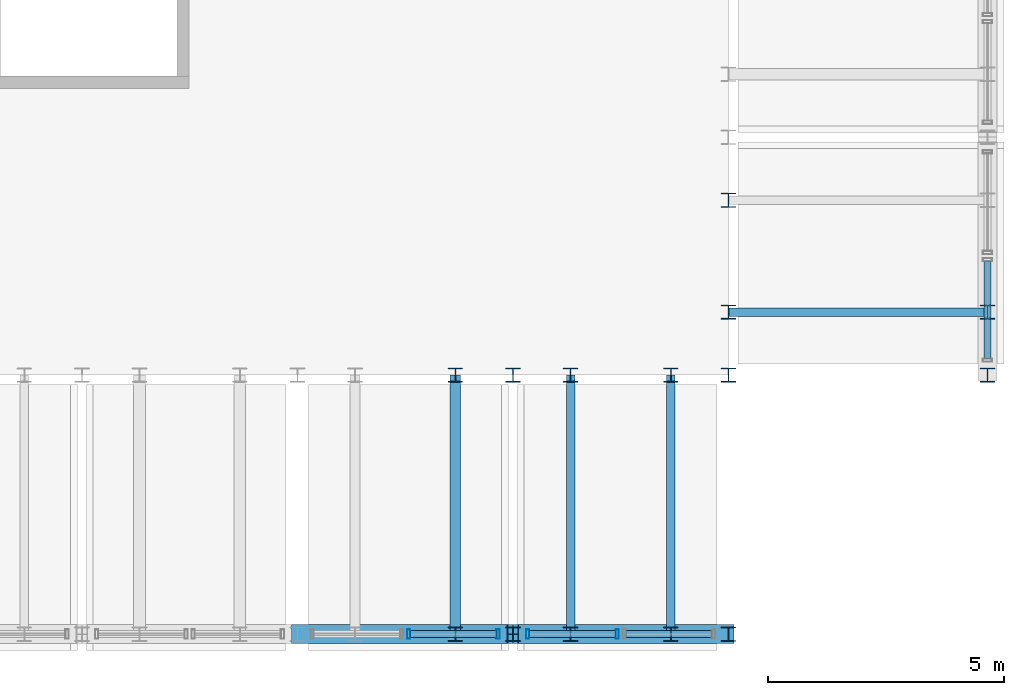
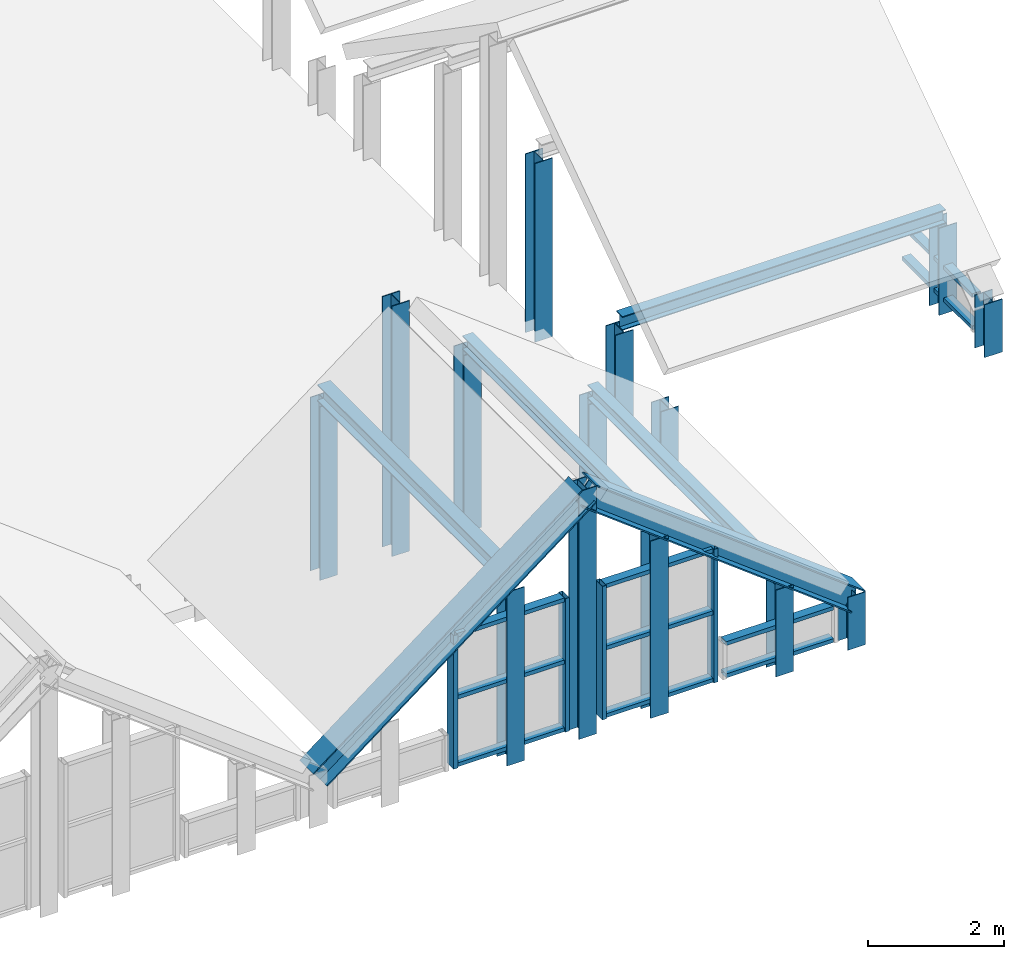
# One storey, part 4 of 21: 34 members, 4 elements without a shape of their own.
"""IFC4 building model written with IfcOpenShell, lengths in metres."""

from ifc_helpers import new_model, si_unit, direction, frame, origin, origin_2d, place, context, subcontext, project, spatial, hollow_rectangle, i_section, extrude, source, transform, mapped, material, layer, layer_set, material_profile, profile_set, type_object, element, aggregate, save


model = new_model("IFC4")

# Units and contexts
model_context = context("Model", 3, precision=1e-05, world=origin(), true_north=direction((0.0, 1.0)))
body_context = subcontext(model_context, "Body", "Model", "MODEL_VIEW")
ifc_project = project(units=[si_unit("LENGTHUNIT", "METRE"), si_unit("AREAUNIT", "SQUARE_METRE"), si_unit("VOLUMEUNIT", "CUBIC_METRE"), si_unit("PLANEANGLEUNIT", "RADIAN"), si_unit("MASSUNIT", "GRAM", prefix="KILO")], contexts=[model_context])

# Site, building, storey
site_placement = place(None, origin())
site = spatial("IfcSite", under=ifc_project, at=site_placement, CompositionType="ELEMENT")
building_placement = place(site_placement, origin())
building = spatial("IfcBuilding", under=site, at=building_placement, Name="Saelheon Loggia Tower", CompositionType="ELEMENT")
storey_placement = place(building_placement, frame((0.0, 0.0, 275.0)))
storey = spatial("IfcBuildingStorey", under=building, at=storey_placement, Name="ROOF", CompositionType="ELEMENT", Elevation=275.0)

# Members
ifc_material_1 = material(Name="Steel SM355", Category="steel")
ifc_material_profile_1 = material_profile(ifc_material_1, i_section(OverallWidth=0.300048828125, OverallDepth=0.300048828125, WebThickness=0.010009765625, FlangeThickness=0.014892578125, at=origin_2d()), Name="H-300x300x10x15")
ifc_profile_set_1 = profile_set([ifc_material_profile_1], Name="Steel SM355")
member_type_1 = type_object("IfcMemberType", Name="WaveCrest_Post_H300", PredefinedType="POST", material=ifc_profile_set_1)
shared_shape_1 = source(origin(), body_context, "Body", "SweptSolid", [
    extrude(i_section(OverallWidth=0.300048828125, OverallDepth=0.300048828125, WebThickness=0.010009765625, FlangeThickness=0.014892578125, at=origin_2d()), origin(), (0.0, 0.0, 1.0), 0.949951171875),
])
for number, where, z_axis, x_axis, name in (
    (1, (52.64990234375, 11.85009765625, -0.14990234375), (0.0, 0.0, 1.0), (1.0, 0.0, 0.0), "ROOF Wave Crest Outer Post E 00"),
    (2, (47.14990234375, 6.35009765625, -0.14990234375), (0.0, 0.0, 1.0), (1.0, 0.0, 0.0), "ROOF Wave Crest Outer Post S 04"),
):
    element("IfcMember", number, at=place(storey_placement, frame(where, z_axis=z_axis, x_axis=x_axis)), inside=storey, type_object=member_type_1, Name=name, PredefinedType="POST", context=body_context, shape_type="MappedRepresentation", body=[
        mapped(shared_shape_1, transform((0.0, 0.0, 0.0), scale=1.0)),
    ])
ifc_material_profile_2 = material_profile(ifc_material_1, i_section(OverallWidth=0.300048828125, OverallDepth=0.300048828125, WebThickness=0.010009765625, FlangeThickness=0.014892578125, at=origin_2d()), Name="H-300x300x10x15")
ifc_profile_set_2 = profile_set([ifc_material_profile_2], Name="Steel SM355")
member_type_2 = type_object("IfcMemberType", Name="Belt_Post_H300", PredefinedType="POST", material=ifc_profile_set_2)
shared_shape_2 = source(origin(), body_context, "Body", "SweptSolid", [
    extrude(i_section(OverallWidth=0.300048828125, OverallDepth=0.300048828125, WebThickness=0.010009765625, FlangeThickness=0.014892578125, at=origin_2d()), origin(), (0.0, 0.0, 1.0), 1.0),
])
member_1_placement = place(storey_placement, frame((47.14990234375, 11.85009765625, -0.199951171875), z_axis=(0.0, 0.0, 1.0), x_axis=(1.0, 0.0, 0.0)))
element("IfcMember", 3, at=member_1_placement, inside=storey, type_object=member_type_2, Name="ROOF Wave Crest Inner Post E 00", PredefinedType="POST", context=body_context, shape_type="MappedRepresentation", body=[
    mapped(shared_shape_2, transform((0.0, 0.0, 0.0), scale=1.0)),
])
shared_shape_3 = source(origin(), body_context, "Body", "SweptSolid", [
    extrude(i_section(OverallWidth=0.300048828125, OverallDepth=0.300048828125, WebThickness=0.010009765625, FlangeThickness=0.014892578125, at=origin_2d()), origin(), (0.0, 0.0, 1.0), 4.449951171875),
])
member_2_placement = place(storey_placement, frame((42.574951171875, 6.35009765625, -0.14990234375), z_axis=(0.0, 0.0, 1.0), x_axis=(1.0, 0.0, 0.0)))
element("IfcMember", 4, at=member_2_placement, inside=storey, type_object=member_type_1, Name="ROOF Wave Crest Outer Post S 03", PredefinedType="POST", context=body_context, shape_type="MappedRepresentation", body=[
    mapped(shared_shape_3, transform((0.0, 0.0, 0.0), scale=1.0)),
])
shared_shape_4 = source(origin(), body_context, "Body", "SweptSolid", [
    extrude(i_section(OverallWidth=0.300048828125, OverallDepth=0.300048828125, WebThickness=0.010009765625, FlangeThickness=0.014892578125, at=origin_2d()), origin(), (0.0, 0.0, 1.0), 4.5),
])
member_3_placement = place(storey_placement, frame((42.574951171875, 11.85009765625, -0.199951171875), z_axis=(0.0, 0.0, 1.0), x_axis=(1.0, 0.0, 0.0)))
element("IfcMember", 5, at=member_3_placement, inside=storey, type_object=member_type_2, Name="ROOF Wave Crest Inner Post S 03", PredefinedType="POST", context=body_context, shape_type="MappedRepresentation", body=[
    mapped(shared_shape_4, transform((0.0, 0.0, 0.0), scale=1.0)),
])
ifc_material_profile_3 = material_profile(ifc_material_1, i_section(OverallWidth=0.179931640625, OverallDepth=0.25, WebThickness=0.010009765625, FlangeThickness=0.01611328125, at=origin_2d()), Name="H-250x180x10x16")
ifc_profile_set_3 = profile_set([ifc_material_profile_3], Name="Steel SM355")
member_type_3 = type_object("IfcMemberType", Name="Roof_Purlin_RHS250", PredefinedType="PURLIN", material=ifc_profile_set_3)
shared_shape_5 = source(origin(), body_context, "Body", "SweptSolid", [
    extrude(i_section(OverallWidth=0.179931640625, OverallDepth=0.25, WebThickness=0.010009765625, FlangeThickness=0.01611328125, at=origin_2d()), origin(), (0.0, 0.0, 1.0), 5.5),
])
for number, where, z_axis, x_axis, name in (
    (6, (52.64990234375, 13.186767578125, 1.489013671875), (-1.0, 0.0, 0.0), (0.0, -1.0, 0.0), "Crown Wave Roof Purlin 07 A"),
    (7, (43.7978515625, 6.35009765625, 3.110595703125), (0.0, 1.0, 0.0), (-1.0, 0.0, 0.0), "Crown Wave Roof Purlin 16 A"),
    (8, (45.92724609375, 6.35009765625, 1.4814453125), (0.0, 1.0, 0.0), (-1.0, 0.0, 0.0), "Crown Wave Roof Purlin 16 B"),
):
    element("IfcMember", number, at=place(storey_placement, frame(where, z_axis=z_axis, x_axis=x_axis)), inside=storey, type_object=member_type_3, Name=name, PredefinedType="PURLIN", context=body_context, shape_type="MappedRepresentation", body=[
        mapped(shared_shape_5, transform((0.0, 0.0, 0.0), scale=1.0)),
    ])
shared_shape_6 = source(origin(), body_context, "Body", "SweptSolid", [
    extrude(i_section(OverallWidth=0.300048828125, OverallDepth=0.300048828125, WebThickness=0.010009765625, FlangeThickness=0.014892578125, at=origin_2d()), origin(), (0.0, 0.0, 1.0), 1.56396484375),
])
for number, where, z_axis, x_axis, name in (
    (9, (52.64990234375, 13.186767578125, -0.199951171875), (0.0, 0.0, 1.0), (1.0, 0.0, 0.0), "Crown Wave Roof Purlin Support Post 07 A O"),
    (10, (47.14990234375, 13.186767578125, -0.199951171875), (0.0, 0.0, 1.0), (1.0, 0.0, 0.0), "Crown Wave Roof Purlin Support Post 07 A I"),
):
    element("IfcMember", number, at=place(storey_placement, frame(where, z_axis=z_axis, x_axis=x_axis)), inside=storey, type_object=member_type_2, Name=name, PredefinedType="POST", context=body_context, shape_type="MappedRepresentation", body=[
        mapped(shared_shape_6, transform((0.0, 0.0, 0.0), scale=1.0)),
    ])
shared_shape_7 = source(origin(), body_context, "Body", "SweptSolid", [
    extrude(i_section(OverallWidth=0.300048828125, OverallDepth=0.300048828125, WebThickness=0.010009765625, FlangeThickness=0.014892578125, at=origin_2d()), origin(), (0.0, 0.0, 1.0), 3.2109375),
])
member_4_placement = place(storey_placement, frame((47.14990234375, 15.563232421875, -0.199951171875), z_axis=(0.0, 0.0, 1.0), x_axis=(1.0, 0.0, 0.0)))
element("IfcMember", 11, at=member_4_placement, inside=storey, type_object=member_type_2, Name="Crown Wave Roof Purlin Support Post 07 B I", PredefinedType="POST", context=body_context, shape_type="MappedRepresentation", body=[
    mapped(shared_shape_7, transform((0.0, 0.0, 0.0), scale=1.0)),
])
ifc_material_profile_4 = material_profile(ifc_material_1, i_section(OverallWidth=0.219970703125, OverallDepth=0.300048828125, WebThickness=0.011962890625, FlangeThickness=0.02001953125, at=origin_2d()), Name="H-300x220x12x20")
ifc_profile_set_4 = profile_set([ifc_material_profile_4], Name="Steel SM355")
member_type_4 = type_object("IfcMemberType", Name="Roof_Purlin_RHS300", PredefinedType="PURLIN", material=ifc_profile_set_4)
shared_shape_8 = source(origin(), body_context, "Body", "SweptSolid", [
    extrude(i_section(OverallWidth=0.219970703125, OverallDepth=0.300048828125, WebThickness=0.011962890625, FlangeThickness=0.02001953125, at=origin_2d()), origin(), (0.0, 0.0, 1.0), 5.5),
])
member_5_placement = place(storey_placement, frame((41.352294921875, 6.35009765625, 3.0703125), z_axis=(0.0, 1.0, 0.0), x_axis=(-1.0, 0.0, 0.0)))
element("IfcMember", 12, at=member_5_placement, inside=storey, type_object=member_type_4, Name="Crown Wave Roof Purlin 15 B", PredefinedType="PURLIN", context=body_context, shape_type="MappedRepresentation", body=[
    mapped(shared_shape_8, transform((0.0, 0.0, 0.0), scale=1.0)),
])
shared_shape_9 = source(origin(), body_context, "Body", "SweptSolid", [
    extrude(i_section(OverallWidth=0.300048828125, OverallDepth=0.300048828125, WebThickness=0.010009765625, FlangeThickness=0.014892578125, at=origin_2d()), origin(), (0.0, 0.0, 1.0), 1.556396484375),
])
for number, where, z_axis, x_axis, name in (
    (13, (45.92724609375, 6.35009765625, -0.199951171875), (0.0, 0.0, 1.0), (1.0, 0.0, 0.0), "Crown Wave Roof Purlin Support Post 16 B O"),
    (14, (45.92724609375, 11.85009765625, -0.199951171875), (0.0, 0.0, 1.0), (1.0, 0.0, 0.0), "Crown Wave Roof Purlin Support Post 16 B I"),
):
    element("IfcMember", number, at=place(storey_placement, frame(where, z_axis=z_axis, x_axis=x_axis)), inside=storey, type_object=member_type_2, Name=name, PredefinedType="POST", context=body_context, shape_type="MappedRepresentation", body=[
        mapped(shared_shape_9, transform((0.0, 0.0, 0.0), scale=1.0)),
    ])
shared_shape_10 = source(origin(), body_context, "Body", "SweptSolid", [
    extrude(i_section(OverallWidth=0.300048828125, OverallDepth=0.300048828125, WebThickness=0.010009765625, FlangeThickness=0.014892578125, at=origin_2d()), origin(), (0.0, 0.0, 1.0), 3.185546875),
])
for number, where, z_axis, x_axis, name in (
    (15, (43.7978515625, 6.35009765625, -0.199951171875), (0.0, 0.0, 1.0), (1.0, 0.0, 0.0), "Crown Wave Roof Purlin Support Post 16 A O"),
    (16, (43.7978515625, 11.85009765625, -0.199951171875), (0.0, 0.0, 1.0), (1.0, 0.0, 0.0), "Crown Wave Roof Purlin Support Post 16 A I"),
):
    element("IfcMember", number, at=place(storey_placement, frame(where, z_axis=z_axis, x_axis=x_axis)), inside=storey, type_object=member_type_2, Name=name, PredefinedType="POST", context=body_context, shape_type="MappedRepresentation", body=[
        mapped(shared_shape_10, transform((0.0, 0.0, 0.0), scale=1.0)),
    ])
shared_shape_11 = source(origin(), body_context, "Body", "SweptSolid", [
    extrude(i_section(OverallWidth=0.300048828125, OverallDepth=0.300048828125, WebThickness=0.010009765625, FlangeThickness=0.014892578125, at=origin_2d()), origin(), (0.0, 0.0, 1.0), 3.1201171875),
])
for number, where, z_axis, x_axis, name in (
    (17, (41.352294921875, 6.35009765625, -0.199951171875), (0.0, 0.0, 1.0), (1.0, 0.0, 0.0), "Crown Wave Roof Purlin Support Post 15 B O"),
    (18, (41.352294921875, 11.85009765625, -0.199951171875), (0.0, 0.0, 1.0), (1.0, 0.0, 0.0), "Crown Wave Roof Purlin Support Post 15 B I"),
):
    element("IfcMember", number, at=place(storey_placement, frame(where, z_axis=z_axis, x_axis=x_axis)), inside=storey, type_object=member_type_2, Name=name, PredefinedType="POST", context=body_context, shape_type="MappedRepresentation", body=[
        mapped(shared_shape_11, transform((0.0, 0.0, 0.0), scale=1.0)),
    ])
ifc_material_profile_5 = material_profile(ifc_material_1, i_section(OverallWidth=0.39990234375, OverallDepth=0.39990234375, WebThickness=0.012939453125, FlangeThickness=0.02099609375, at=origin_2d()), Name="H-400x400x13x21")
ifc_profile_set_5 = profile_set([ifc_material_profile_5], Name="Steel SM355")
member_type_5 = type_object("IfcMemberType", Name="CrownFrame_Brace_H400", PredefinedType="BRACE", material=ifc_profile_set_5)
shared_shape_12 = source(origin(), body_context, "Body", "SweptSolid", [
    extrude(i_section(OverallWidth=0.39990234375, OverallDepth=0.39990234375, WebThickness=0.012939453125, FlangeThickness=0.02099609375, at=origin_2d()), origin(), (0.0, 0.0, 1.0), 5.76025390625),
])
for number, where, z_axis, x_axis, name in (
    (19, (38.0, 6.35009765625, 0.699951171875), (0.794231497038, 0.0, 0.607615280513), (0.0, 1.0, 0.0), "ROOF CROWN FRAME Wave Crest Cap S 03"),
    (20, (42.574951171875, 6.35009765625, 4.199951171875), (0.794231497038, 0.0, -0.607615280513), (0.0, 1.0, 0.0), "ROOF CROWN FRAME Wave Crest Cap S 04"),
):
    element("IfcMember", number, at=place(storey_placement, frame(where, z_axis=z_axis, x_axis=x_axis)), inside=storey, type_object=member_type_5, Name=name, PredefinedType="BRACE", context=body_context, shape_type="MappedRepresentation", body=[
        mapped(shared_shape_12, transform((0.0, 0.0, 0.0), scale=1.0)),
    ])

# Curtain wall, members
ifc_material_2 = material(Name="Bronze-Anodised Aluminium and Fritted Ceramic Screen", Category="aluminium")
ifc_layer = layer(ifc_material_2, 0.219970703125)
ifc_layer_set = layer_set([ifc_layer], Name="Bronze-Anodised Aluminium and Fritted Ceramic Screen")
curtain_wall_type = type_object("IfcCurtainWallType", Name="CW_CrownScreen", PredefinedType="NOTDEFINED", material=ifc_layer_set)
curtain_wall_1_placement = place(storey_placement, origin())
curtain_wall_1 = element("IfcCurtainWall", 21, at=curtain_wall_1_placement, inside=storey, type_object=curtain_wall_type, Name="ROOF Wave Crest Curtain Wall E 01-1", PredefinedType="NOTDEFINED")
ifc_material_3 = material(Name="Bronze-Anodised Aluminium 6063-T6", Category="aluminium")
ifc_material_profile_6 = material_profile(ifc_material_3, hollow_rectangle(XDim=0.070068359375, YDim=0.14990234375, WallThickness=0.0048828125, at=origin_2d()), Name="RHS-150x70x5")
ifc_profile_set_6 = profile_set([ifc_material_profile_6], Name="Bronze-Anodised Aluminium 6063-T6")
member_type_6 = type_object("IfcMemberType", Name="CW_CrownScreen_Transom", PredefinedType="USERDEFINED", material=ifc_profile_set_6)
shared_shape_13 = source(origin(), body_context, "Body", "SweptSolid", [
    extrude(hollow_rectangle(XDim=0.070068359375, YDim=0.14990234375, WallThickness=0.0048828125, at=origin_2d()), origin(), (0.0, 0.0, 1.0), 2.06494140625),
])
member_6_placement = place(storey_placement, frame((52.64990234375, 12.199951171875, 0.054931640625), z_axis=(0.0, 1.0, 0.0), x_axis=(0.0, 0.0, 1.0)))
member_6 = element("IfcMember", 22, at=member_6_placement, type_object=member_type_6, Name="CW6 transom 1.1", ObjectType="TRANSOM", PredefinedType="USERDEFINED", context=body_context, shape_type="MappedRepresentation", body=[
    mapped(shared_shape_13, transform((0.0, 0.0, 0.0), scale=1.0)),
])
member_7_placement = place(storey_placement, frame((52.64990234375, 12.199951171875, 0.635009765625), z_axis=(0.0, 1.0, 0.0), x_axis=(0.0, 0.0, 1.0)))
member_7 = element("IfcMember", 23, at=member_7_placement, type_object=member_type_6, Name="CW6 transom 1.2", ObjectType="TRANSOM", PredefinedType="USERDEFINED", context=body_context, shape_type="MappedRepresentation", body=[
    mapped(shared_shape_13, transform((0.0, 0.0, 0.0), scale=1.0)),
])
aggregate(curtain_wall_1, [member_6, member_7])

curtain_wall_2_placement = place(storey_placement, origin())
curtain_wall_2 = element("IfcCurtainWall", 24, at=curtain_wall_2_placement, inside=storey, type_object=curtain_wall_type, Name="ROOF Wave Crest Curtain Wall S 03-2", PredefinedType="NOTDEFINED")
ifc_material_profile_7 = material_profile(ifc_material_3, hollow_rectangle(XDim=0.070068359375, YDim=0.199951171875, WallThickness=0.0048828125, at=origin_2d()), Name="RHS-200x70x5")
ifc_profile_set_7 = profile_set([ifc_material_profile_7], Name="Bronze-Anodised Aluminium 6063-T6")
member_type_7 = type_object("IfcMemberType", Name="CW_CrownScreen_Mullion", PredefinedType="MULLION", material=ifc_profile_set_7)
shared_shape_14 = source(origin(), body_context, "Body", "SweptSolid", [
    extrude(hollow_rectangle(XDim=0.070068359375, YDim=0.199951171875, WallThickness=0.0048828125, at=origin_2d()), origin(), (0.0, 0.0, 1.0), 2.39990234375),
])
member_8_placement = place(storey_placement, frame((40.362548828125, 6.35009765625, 0.02001953125), z_axis=(0.0, 0.0, 1.0), x_axis=(1.0, 0.0, 0.0)))
member_8 = element("IfcMember", 25, at=member_8_placement, type_object=member_type_7, Name="CW6 mullion 1", PredefinedType="MULLION", context=body_context, shape_type="MappedRepresentation", body=[
    mapped(shared_shape_14, transform((0.0, 0.0, 0.0), scale=1.0)),
])
member_9_placement = place(storey_placement, frame((42.260009765625, 6.35009765625, 0.02001953125), z_axis=(0.0, 0.0, 1.0), x_axis=(1.0, 0.0, 0.0)))
member_9 = element("IfcMember", 26, at=member_9_placement, type_object=member_type_7, Name="CW6 mullion 2", PredefinedType="MULLION", context=body_context, shape_type="MappedRepresentation", body=[
    mapped(shared_shape_14, transform((0.0, 0.0, 0.0), scale=1.0)),
])

curtain_wall_3_placement = place(storey_placement, origin())
curtain_wall_3 = element("IfcCurtainWall", 27, at=curtain_wall_3_placement, inside=storey, type_object=curtain_wall_type, Name="ROOF Wave Crest Curtain Wall S 04-1", PredefinedType="NOTDEFINED")
member_10_placement = place(storey_placement, frame((42.889892578125, 6.35009765625, 0.02001953125), z_axis=(0.0, 0.0, 1.0), x_axis=(1.0, 0.0, 0.0)))
member_10 = element("IfcMember", 28, at=member_10_placement, type_object=member_type_7, Name="CW6 mullion 1", PredefinedType="MULLION", context=body_context, shape_type="MappedRepresentation", body=[
    mapped(shared_shape_14, transform((0.0, 0.0, 0.0), scale=1.0)),
])
member_11_placement = place(storey_placement, frame((44.78759765625, 6.35009765625, 0.02001953125), z_axis=(0.0, 0.0, 1.0), x_axis=(1.0, 0.0, 0.0)))
member_11 = element("IfcMember", 29, at=member_11_placement, type_object=member_type_7, Name="CW6 mullion 2", PredefinedType="MULLION", context=body_context, shape_type="MappedRepresentation", body=[
    mapped(shared_shape_14, transform((0.0, 0.0, 0.0), scale=1.0)),
])

# Member
shared_shape_15 = source(origin(), body_context, "Body", "SweptSolid", [
    extrude(hollow_rectangle(XDim=0.070068359375, YDim=0.14990234375, WallThickness=0.0048828125, at=origin_2d()), origin(), (0.0, 0.0, 1.0), 1.82763671875),
])
member_12_placement = place(storey_placement, frame((40.3974609375, 6.35009765625, 0.054931640625), z_axis=(1.0, 0.0, 0.0), x_axis=(0.0, 0.0, 1.0)))
member_12 = element("IfcMember", 30, at=member_12_placement, type_object=member_type_6, Name="CW6 transom 1.1", ObjectType="TRANSOM", PredefinedType="USERDEFINED", context=body_context, shape_type="MappedRepresentation", body=[
    mapped(shared_shape_15, transform((0.0, 0.0, 0.0), scale=1.0)),
])

member_13_placement = place(storey_placement, frame((40.3974609375, 6.35009765625, 1.27001953125), z_axis=(1.0, 0.0, 0.0), x_axis=(0.0, 0.0, 1.0)))
member_13 = element("IfcMember", 31, at=member_13_placement, type_object=member_type_6, Name="CW6 transom 1.2", ObjectType="TRANSOM", PredefinedType="USERDEFINED", context=body_context, shape_type="MappedRepresentation", body=[
    mapped(shared_shape_15, transform((0.0, 0.0, 0.0), scale=1.0)),
])

member_14_placement = place(storey_placement, frame((40.3974609375, 6.35009765625, 2.385009765625), z_axis=(1.0, 0.0, 0.0), x_axis=(0.0, 0.0, 1.0)))
member_14 = element("IfcMember", 32, at=member_14_placement, type_object=member_type_6, Name="CW6 transom 1.3", ObjectType="TRANSOM", PredefinedType="USERDEFINED", context=body_context, shape_type="MappedRepresentation", body=[
    mapped(shared_shape_15, transform((0.0, 0.0, 0.0), scale=1.0)),
])

aggregate(curtain_wall_2, [member_8, member_9, member_12, member_13, member_14])

# Curtain wall, members
curtain_wall_4_placement = place(storey_placement, origin())
curtain_wall_4 = element("IfcCurtainWall", 33, at=curtain_wall_4_placement, inside=storey, type_object=curtain_wall_type, Name="ROOF Wave Crest Curtain Wall S 04-2", PredefinedType="NOTDEFINED")
member_15_placement = place(storey_placement, frame((44.972412109375, 6.35009765625, 0.054931640625), z_axis=(1.0, 0.0, 0.0), x_axis=(0.0, 0.0, 1.0)))
member_15 = element("IfcMember", 34, at=member_15_placement, type_object=member_type_6, Name="CW6 transom 1.1", ObjectType="TRANSOM", PredefinedType="USERDEFINED", context=body_context, shape_type="MappedRepresentation", body=[
    mapped(shared_shape_15, transform((0.0, 0.0, 0.0), scale=1.0)),
])
member_16_placement = place(storey_placement, frame((44.972412109375, 6.35009765625, 0.635009765625), z_axis=(1.0, 0.0, 0.0), x_axis=(0.0, 0.0, 1.0)))
member_16 = element("IfcMember", 35, at=member_16_placement, type_object=member_type_6, Name="CW6 transom 1.2", ObjectType="TRANSOM", PredefinedType="USERDEFINED", context=body_context, shape_type="MappedRepresentation", body=[
    mapped(shared_shape_15, transform((0.0, 0.0, 0.0), scale=1.0)),
])
aggregate(curtain_wall_4, [member_15, member_16])

# Member
shared_shape_16 = source(origin(), body_context, "Body", "SweptSolid", [
    extrude(hollow_rectangle(XDim=0.070068359375, YDim=0.14990234375, WallThickness=0.0048828125, at=origin_2d()), origin(), (0.0, 0.0, 1.0), 1.827392578125),
])
member_17_placement = place(storey_placement, frame((42.925048828125, 6.35009765625, 0.054931640625), z_axis=(1.0, 0.0, 0.0), x_axis=(0.0, 0.0, 1.0)))
member_17 = element("IfcMember", 36, at=member_17_placement, type_object=member_type_6, Name="CW6 transom 1.1", ObjectType="TRANSOM", PredefinedType="USERDEFINED", context=body_context, shape_type="MappedRepresentation", body=[
    mapped(shared_shape_16, transform((0.0, 0.0, 0.0), scale=1.0)),
])

member_18_placement = place(storey_placement, frame((42.925048828125, 6.35009765625, 1.27001953125), z_axis=(1.0, 0.0, 0.0), x_axis=(0.0, 0.0, 1.0)))
member_18 = element("IfcMember", 37, at=member_18_placement, type_object=member_type_6, Name="CW6 transom 1.2", ObjectType="TRANSOM", PredefinedType="USERDEFINED", context=body_context, shape_type="MappedRepresentation", body=[
    mapped(shared_shape_16, transform((0.0, 0.0, 0.0), scale=1.0)),
])

member_19_placement = place(storey_placement, frame((42.925048828125, 6.35009765625, 2.385009765625), z_axis=(1.0, 0.0, 0.0), x_axis=(0.0, 0.0, 1.0)))
member_19 = element("IfcMember", 38, at=member_19_placement, type_object=member_type_6, Name="CW6 transom 1.3", ObjectType="TRANSOM", PredefinedType="USERDEFINED", context=body_context, shape_type="MappedRepresentation", body=[
    mapped(shared_shape_16, transform((0.0, 0.0, 0.0), scale=1.0)),
])

aggregate(curtain_wall_3, [member_10, member_11, member_17, member_18, member_19])

save(model, "model.ifc")
